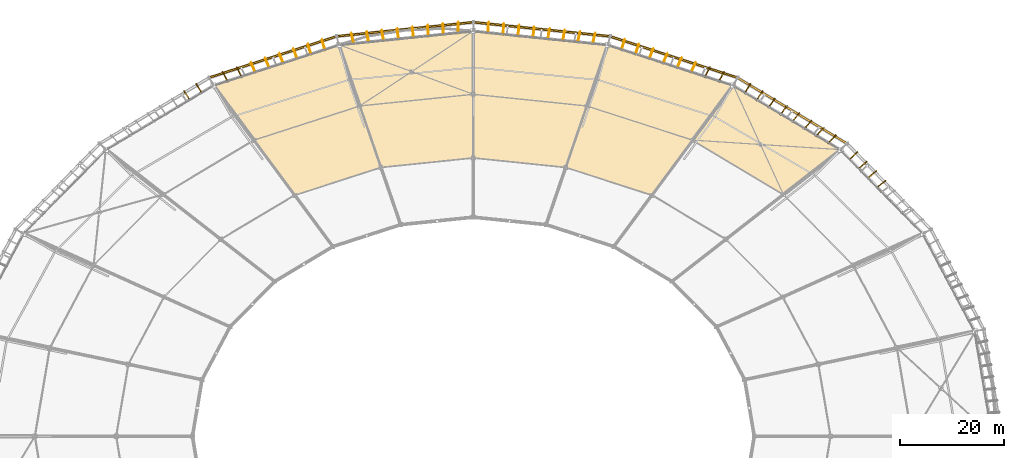
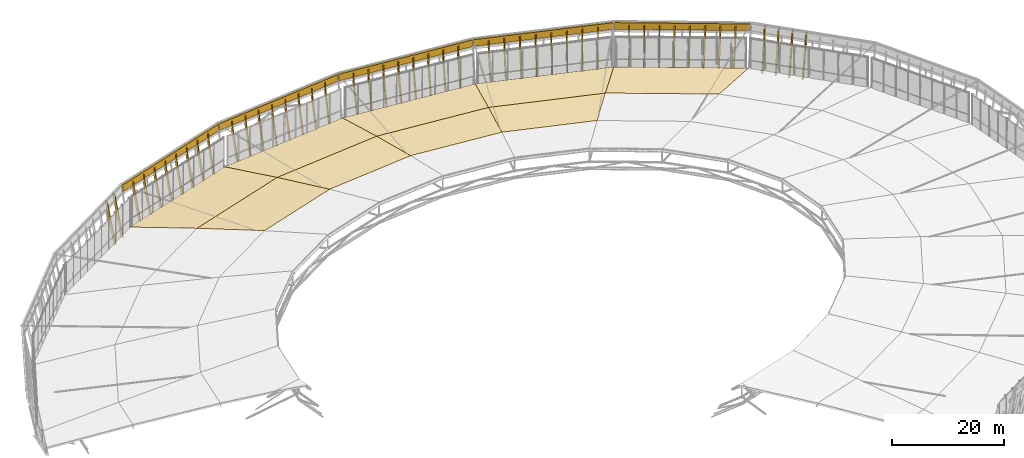
# One storey, part 115 of 115: 46 shading devices, 14 coverings, 2 elements without a shape of their own.
"""IFC4 building model written with IfcOpenShell, lengths in metres."""

from ifc_helpers import new_model, si_unit, direction, frame, origin, origin_2d, place, context, subcontext, project, spatial, polyline, rectangle, outline, extrude, material, layer, layer_set, material_profile, profile_set, type_object, element, aggregate, save


model = new_model("IFC4")

# Units and contexts
model_context = context("Model", 3, precision=1e-05, world=origin(), true_north=direction((0.0, 1.0)))
body_context = subcontext(model_context, "Body", "Model", "MODEL_VIEW")
ifc_project = project(units=[si_unit("LENGTHUNIT", "METRE"), si_unit("AREAUNIT", "SQUARE_METRE"), si_unit("VOLUMEUNIT", "CUBIC_METRE"), si_unit("PLANEANGLEUNIT", "RADIAN"), si_unit("MASSUNIT", "GRAM", prefix="KILO")], contexts=[model_context])

# Site, building, storey
site_placement = place(None, origin())
site = spatial("IfcSite", under=ifc_project, at=site_placement, CompositionType="ELEMENT")
building_placement = place(site_placement, origin())
building = spatial("IfcBuilding", under=site, at=building_placement, Name="Zlatoyarsky Gate Stadium", CompositionType="ELEMENT")
storey_placement = place(building_placement, frame((0.0, 0.0, 31.800048828125)))
storey = spatial("IfcBuildingStorey", under=building, at=storey_placement, Name="RF", CompositionType="ELEMENT", Elevation=31.800048828125)

# Coverings
ifc_material_1 = material(Name="Perforated stone-toned anodised aluminium fascia cladding", Category="masonry")
ifc_layer_1 = layer(ifc_material_1, 0.044921875)
ifc_layer_set_1 = layer_set([ifc_layer_1], Name="Perforated stone-toned anodised aluminium fascia cladding")
covering_type_1 = type_object("IfcCoveringType", Name="PERFORATED ANODISED CROWN FASCIA SCREEN 45", PredefinedType="CLADDING", material=ifc_layer_set_1)
covering_1_placement = place(storey_placement, frame((172.378662109375, 142.685791015625, 7.39990234375), z_axis=(0.0, 0.0, 1.0), x_axis=(-0.85708092378, 0.515181802952, 0.0)))
element("IfcCovering", 1, at=covering_1_placement, inside=storey, type_object=covering_type_1, Name="RF crown perforated eaves fascia cladding sector 03", PredefinedType="CLADDING", context=body_context, shape_type="SweptSolid", body=[
    extrude(rectangle(XDim=24.337890625, YDim=0.360107421875, at=origin_2d()), origin(), (0.0, 0.0, 1.0), 1.449951171875),
])
covering_2_placement = place(storey_placement, frame((149.584228515625, 152.9990234375, 7.39990234375), z_axis=(0.0, 0.0, 1.0), x_axis=(-0.951181318292, 0.30863262908, 0.0)))
element("IfcCovering", 2, at=covering_2_placement, inside=storey, type_object=covering_type_1, Name="RF crown perforated eaves fascia cladding sector 04", PredefinedType="CLADDING", context=body_context, shape_type="SweptSolid", body=[
    extrude(rectangle(XDim=25.548095703125, YDim=0.360107421875, at=origin_2d()), origin(), (0.0, 0.0, 1.0), 1.449951171875),
])
for number, where, z_axis, x_axis, name in (
    (3, (124.160400390625, 158.337646484375, 7.39990234375), (0.0, 0.0, 1.0), (-0.994724084553, 0.102586527428, 0.0), "RF crown perforated eaves fascia cladding sector 05"),
    (4, (97.839599609375, 158.337646484375, 7.39990234375), (0.0, 0.0, 1.0), (-0.994724084553, -0.102586527428, 0.0), "RF crown perforated eaves fascia cladding sector 06"),
):
    element("IfcCovering", number, at=place(storey_placement, frame(where, z_axis=z_axis, x_axis=x_axis)), inside=storey, type_object=covering_type_1, Name=name, PredefinedType="CLADDING", context=body_context, shape_type="SweptSolid", body=[
        extrude(rectangle(XDim=26.2216796875, YDim=0.360107421875, at=origin_2d()), origin(), (0.0, 0.0, 1.0), 1.449951171875),
    ])
covering_3_placement = place(storey_placement, frame((72.415771484375, 152.9990234375, 7.39990234375), z_axis=(0.0, 0.0, 1.0), x_axis=(-0.951181318292, -0.30863262908, 0.0)))
element("IfcCovering", 5, at=covering_3_placement, inside=storey, type_object=covering_type_1, Name="RF crown perforated eaves fascia cladding sector 07", PredefinedType="CLADDING", context=body_context, shape_type="SweptSolid", body=[
    extrude(rectangle(XDim=25.548095703125, YDim=0.360107421875, at=origin_2d()), origin(), (0.0, 0.0, 1.0), 1.449951171875),
])

# Shading devices
ifc_material_2 = material(Name="Precast concrete C40/50 stone-toned architectural rib", Category="masonry")
ifc_material_profile = material_profile(ifc_material_2, rectangle(XDim=0.179931640625, YDim=0.47998046875, at=origin_2d()), Name="RIB 180X480")
ifc_profile_set = profile_set([ifc_material_profile], Name="Precast concrete C40/50 stone-toned architectural rib")
shading_device_type = type_object("IfcShadingDeviceType", Name="PRECAST RIBBED BOWL LOUVRE FIN 180X480", PredefinedType="JALOUSIE", material=ifc_profile_set)
shading_device_1_placement = place(storey_placement, frame((188.795166015625, 127.99169921875, -0.35009765625), z_axis=(0.152301064352, 0.120430217812, 0.980969392201), x_axis=(-0.620254979667, 0.784400255099, 0.0)))
element("IfcShadingDevice", 6, at=shading_device_1_placement, inside=storey, type_object=shading_device_type, Name="RF crown fluted louvre fin 02-5", PredefinedType="JALOUSIE", context=body_context, shape_type="SweptSolid", body=[
    extrude(rectangle(XDim=0.179931640625, YDim=0.47998046875, at=origin_2d()), origin(), (0.0, 0.0, 1.0), 9.276611328125),
])
shading_device_2_placement = place(storey_placement, frame((187.02880859375, 129.787109375, -0.35009765625), z_axis=(0.148848036831, 0.12495234775, 0.980933826883), x_axis=(-0.642950695549, 0.765907568244, 0.0)))
element("IfcShadingDevice", 7, at=shading_device_2_placement, inside=storey, type_object=shading_device_type, Name="RF crown fluted louvre fin 02-6", PredefinedType="JALOUSIE", context=body_context, shape_type="SweptSolid", body=[
    extrude(rectangle(XDim=0.179931640625, YDim=0.47998046875, at=origin_2d()), origin(), (0.0, 0.0, 1.0), 9.27685546875),
])
shading_device_3_placement = place(storey_placement, frame((185.2626953125, 131.582763671875, -0.35009765625), z_axis=(0.145365289642, 0.129444579969, 0.980873607191), x_axis=(-0.66502650148, 0.74681975893, 0.0)))
element("IfcShadingDevice", 8, at=shading_device_3_placement, inside=storey, type_object=shading_device_type, Name="RF crown fluted louvre fin 02-7", PredefinedType="JALOUSIE", context=body_context, shape_type="SweptSolid", body=[
    extrude(rectangle(XDim=0.179931640625, YDim=0.47998046875, at=origin_2d()), origin(), (0.0, 0.0, 1.0), 9.277587890625),
])
for number, where, z_axis, x_axis, name in (
    (9, (183.496337890625, 133.378173828125, -0.35009765625), (0.141903669219, 0.133957274244, 0.980774590484), (-0.68645326365, 0.727173924742, 0.0), "RF crown fluted louvre fin 02-8"),
    (10, (179.428466796875, 136.551513671875, -0.35009765625), (0.133930933581, 0.141929952011, 0.980774384735), (-0.72730475479, 0.686314646252, 0.0), "RF crown fluted louvre fin 03-1"),
):
    element("IfcShadingDevice", number, at=place(storey_placement, frame(where, z_axis=z_axis, x_axis=x_axis)), inside=storey, type_object=shading_device_type, Name=name, PredefinedType="JALOUSIE", context=body_context, shape_type="SweptSolid", body=[
        extrude(rectangle(XDim=0.179931640625, YDim=0.47998046875, at=origin_2d()), origin(), (0.0, 0.0, 1.0), 9.278564453125),
    ])
shading_device_4_placement = place(storey_placement, frame((177.126708984375, 137.929443359375, -0.35009765625), z_axis=(0.12941870555, 0.145365784761, 0.98087694808), x_axis=(-0.746886906655, 0.664951087424, 0.0)))
element("IfcShadingDevice", 11, at=shading_device_4_placement, inside=storey, type_object=shading_device_type, Name="RF crown fluted louvre fin 03-2", PredefinedType="JALOUSIE", context=body_context, shape_type="SweptSolid", body=[
    extrude(rectangle(XDim=0.179931640625, YDim=0.47998046875, at=origin_2d()), origin(), (0.0, 0.0, 1.0), 9.277587890625),
])
shading_device_5_placement = place(storey_placement, frame((174.82470703125, 139.30712890625, -0.35009765625), z_axis=(0.12495234775, 0.148848036831, 0.980933826883), x_axis=(-0.765907568244, 0.642950695549, 0.0)))
element("IfcShadingDevice", 12, at=shading_device_5_placement, inside=storey, type_object=shading_device_type, Name="RF crown fluted louvre fin 03-3", PredefinedType="JALOUSIE", context=body_context, shape_type="SweptSolid", body=[
    extrude(rectangle(XDim=0.179931640625, YDim=0.47998046875, at=origin_2d()), origin(), (0.0, 0.0, 1.0), 9.27685546875),
])
for number, where, z_axis, x_axis, name in (
    (13, (172.52294921875, 140.68505859375, -0.35009765625), (0.120430217812, 0.152301064352, 0.980969392201), (-0.784400255099, 0.620254979667, 0.0), "RF crown fluted louvre fin 03-4"),
    (14, (170.22119140625, 142.062744140625, -0.35009765625), (0.115929496283, 0.155774503633, 0.980966184896), (-0.802222653972, 0.597024968871, 0.0), "RF crown fluted louvre fin 03-5"),
):
    element("IfcShadingDevice", number, at=place(storey_placement, frame(where, z_axis=z_axis, x_axis=x_axis)), inside=storey, type_object=shading_device_type, Name=name, PredefinedType="JALOUSIE", context=body_context, shape_type="SweptSolid", body=[
        extrude(rectangle(XDim=0.179931640625, YDim=0.47998046875, at=origin_2d()), origin(), (0.0, 0.0, 1.0), 9.276611328125),
    ])
shading_device_6_placement = place(storey_placement, frame((167.919189453125, 143.4404296875, -0.35009765625), z_axis=(0.111425669793, 0.159217123819, 0.980935384005), x_axis=(-0.819295535964, 0.573371454425, 0.0)))
element("IfcShadingDevice", 15, at=shading_device_6_placement, inside=storey, type_object=shading_device_type, Name="RF crown fluted louvre fin 03-6", PredefinedType="JALOUSIE", context=body_context, shape_type="SweptSolid", body=[
    extrude(rectangle(XDim=0.179931640625, YDim=0.47998046875, at=origin_2d()), origin(), (0.0, 0.0, 1.0), 9.27685546875),
])
shading_device_7_placement = place(storey_placement, frame((165.617431640625, 144.818359375, -0.35009765625), z_axis=(0.106918690451, 0.162654301175, 0.980873066172), x_axis=(-0.835631015396, 0.549291185173, 0.0)))
element("IfcShadingDevice", 16, at=shading_device_7_placement, inside=storey, type_object=shading_device_type, Name="RF crown fluted louvre fin 03-7", PredefinedType="JALOUSIE", context=body_context, shape_type="SweptSolid", body=[
    extrude(rectangle(XDim=0.179931640625, YDim=0.47998046875, at=origin_2d()), origin(), (0.0, 0.0, 1.0), 9.277587890625),
])
for number, where, z_axis, x_axis, name in (
    (17, (163.315673828125, 146.196044921875, -0.35009765625), (0.102382509598, 0.166111740707, 0.980777605437), (-0.851292342658, 0.524691668823, 0.0), "RF crown fluted louvre fin 03-8"),
    (18, (158.333251953125, 148.43994140625, -0.35009765625), (0.092646659573, 0.17174233088, 0.980775799178), (-0.880107141293, 0.474775125554, 0.0), "RF crown fluted louvre fin 04-1"),
):
    element("IfcShadingDevice", number, at=place(storey_placement, frame(where, z_axis=z_axis, x_axis=x_axis)), inside=storey, type_object=shading_device_type, Name=name, PredefinedType="JALOUSIE", context=body_context, shape_type="SweptSolid", body=[
        extrude(rectangle(XDim=0.179931640625, YDim=0.47998046875, at=origin_2d()), origin(), (0.0, 0.0, 1.0), 9.278564453125),
    ])
shading_device_8_placement = place(storey_placement, frame((155.652587890625, 149.30615234375, -0.35009765625), z_axis=(0.087419065717, 0.173917099736, 0.980872442965), x_axis=(-0.89347884985, 0.449105271479, 0.0)))
element("IfcShadingDevice", 19, at=shading_device_8_placement, inside=storey, type_object=shading_device_type, Name="RF crown fluted louvre fin 04-2", PredefinedType="JALOUSIE", context=body_context, shape_type="SweptSolid", body=[
    extrude(rectangle(XDim=0.179931640625, YDim=0.47998046875, at=origin_2d()), origin(), (0.0, 0.0, 1.0), 9.277587890625),
])
shading_device_9_placement = place(storey_placement, frame((152.97216796875, 150.172119140625, -0.35009765625), z_axis=(0.082187424408, 0.1761121499, 0.980933095541), x_axis=(-0.906179680524, 0.422892878404, 0.0)))
element("IfcShadingDevice", 20, at=shading_device_9_placement, inside=storey, type_object=shading_device_type, Name="RF crown fluted louvre fin 04-3", PredefinedType="JALOUSIE", context=body_context, shape_type="SweptSolid", body=[
    extrude(rectangle(XDim=0.179931640625, YDim=0.47998046875, at=origin_2d()), origin(), (0.0, 0.0, 1.0), 9.277099609375),
])
for number, where, z_axis, x_axis, name in (
    (21, (150.291748046875, 151.038330078125, -0.35009765625), (0.076926857499, 0.17827661057, 0.980968760318), (-0.918167710581, 0.396191942431, 0.0), "RF crown fluted louvre fin 04-4"),
    (22, (147.611083984375, 151.904541015625, -0.35009765625), (0.071663248489, 0.180460850125, 0.980968022103), (-0.92939922098, 0.369075992231, 0.0), "RF crown fluted louvre fin 04-5"),
):
    element("IfcShadingDevice", number, at=place(storey_placement, frame(where, z_axis=z_axis, x_axis=x_axis)), inside=storey, type_object=shading_device_type, Name=name, PredefinedType="JALOUSIE", context=body_context, shape_type="SweptSolid", body=[
        extrude(rectangle(XDim=0.179931640625, YDim=0.47998046875, at=origin_2d()), origin(), (0.0, 0.0, 1.0), 9.276611328125),
    ])
shading_device_10_placement = place(storey_placement, frame((144.9306640625, 152.7705078125, -0.35009765625), z_axis=(0.066423691876, 0.182638835823, 0.980933712749), x_axis=(-0.939777607634, 0.341786553554, 0.0)))
element("IfcShadingDevice", 23, at=shading_device_10_placement, inside=storey, type_object=shading_device_type, Name="RF crown fluted louvre fin 04-6", PredefinedType="JALOUSIE", context=body_context, shape_type="SweptSolid", body=[
    extrude(rectangle(XDim=0.179931640625, YDim=0.47998046875, at=origin_2d()), origin(), (0.0, 0.0, 1.0), 9.27685546875),
])
shading_device_11_placement = place(storey_placement, frame((142.25, 153.63671875, -0.35009765625), z_axis=(0.061182829585, 0.184785302945, 0.980872597833), x_axis=(-0.949316784402, 0.314320923346, 0.0)))
element("IfcShadingDevice", 24, at=shading_device_11_placement, inside=storey, type_object=shading_device_type, Name="RF crown fluted louvre fin 04-7", PredefinedType="JALOUSIE", context=body_context, shape_type="SweptSolid", body=[
    extrude(rectangle(XDim=0.179931640625, YDim=0.47998046875, at=origin_2d()), origin(), (0.0, 0.0, 1.0), 9.277587890625),
])
shading_device_12_placement = place(storey_placement, frame((139.569580078125, 154.502685546875, -0.35009765625), z_axis=(0.055914320744, 0.186951175945, 0.980776654773), x_axis=(-0.958067182505, 0.286543668237, 0.0)))
element("IfcShadingDevice", 25, at=shading_device_12_placement, inside=storey, type_object=shading_device_type, Name="RF crown fluted louvre fin 04-8", PredefinedType="JALOUSIE", context=body_context, shape_type="SweptSolid", body=[
    extrude(rectangle(XDim=0.179931640625, YDim=0.47998046875, at=origin_2d()), origin(), (0.0, 0.0, 1.0), 9.278564453125),
])
shading_device_13_placement = place(storey_placement, frame((134.012451171875, 155.664306640625, -0.35009765625), z_axis=(0.045047355903, 0.189846187409, 0.980779873801), x_axis=(-0.972983902304, 0.23087296476, 0.0)))
element("IfcShadingDevice", 26, at=shading_device_13_placement, inside=storey, type_object=shading_device_type, Name="RF crown fluted louvre fin 05-1", PredefinedType="JALOUSIE", context=body_context, shape_type="SweptSolid", body=[
    extrude(rectangle(XDim=0.179931640625, YDim=0.47998046875, at=origin_2d()), origin(), (0.0, 0.0, 1.0), 9.2783203125),
])
shading_device_14_placement = place(storey_placement, frame((131.135986328125, 155.959716796875, -0.35009765625), z_axis=(0.039420088762, 0.190626917886, 0.980870753351), x_axis=(-0.979280761697, 0.202507258562, 0.0)))
element("IfcShadingDevice", 27, at=shading_device_14_placement, inside=storey, type_object=shading_device_type, Name="RF crown fluted louvre fin 05-2", PredefinedType="JALOUSIE", context=body_context, shape_type="SweptSolid", body=[
    extrude(rectangle(XDim=0.179931640625, YDim=0.47998046875, at=origin_2d()), origin(), (0.0, 0.0, 1.0), 9.277587890625),
])
shading_device_15_placement = place(storey_placement, frame((128.25927734375, 156.255126953125, -0.35009765625), z_axis=(0.033790857687, 0.191376259423, 0.980934913879), x_axis=(-0.984767195109, 0.1738780361, 0.0)))
element("IfcShadingDevice", 28, at=shading_device_15_placement, inside=storey, type_object=shading_device_type, Name="RF crown fluted louvre fin 05-3", PredefinedType="JALOUSIE", context=body_context, shape_type="SweptSolid", body=[
    extrude(rectangle(XDim=0.179931640625, YDim=0.47998046875, at=origin_2d()), origin(), (0.0, 0.0, 1.0), 9.27685546875),
])
for number, where, z_axis, x_axis, name in (
    (29, (125.3828125, 156.550537109375, -0.35009765625), (0.028159981695, 0.192119501284, 0.980967437103), (-0.989427883865, 0.145025730923, 0.0), "RF crown fluted louvre fin 05-4"),
    (30, (122.506103515625, 156.845947265625, -0.35009765625), (0.022528005484, 0.192856570316, 0.980968313584), (-0.993246487987, 0.116023334295, 0.0), "RF crown fluted louvre fin 05-5"),
):
    element("IfcShadingDevice", number, at=place(storey_placement, frame(where, z_axis=z_axis, x_axis=x_axis)), inside=storey, type_object=shading_device_type, Name=name, PredefinedType="JALOUSIE", context=body_context, shape_type="SweptSolid", body=[
        extrude(rectangle(XDim=0.179931640625, YDim=0.47998046875, at=origin_2d()), origin(), (0.0, 0.0, 1.0), 9.276611328125),
    ])
shading_device_16_placement = place(storey_placement, frame((119.629638671875, 157.141357421875, -0.35009765625), z_axis=(0.016895474128, 0.193587395149, 0.980937543065), x_axis=(-0.996213096762, 0.086945188706, 0.0)))
element("IfcShadingDevice", 31, at=shading_device_16_placement, inside=storey, type_object=shading_device_type, Name="RF crown fluted louvre fin 05-6", PredefinedType="JALOUSIE", context=body_context, shape_type="SweptSolid", body=[
    extrude(rectangle(XDim=0.179931640625, YDim=0.47998046875, at=origin_2d()), origin(), (0.0, 0.0, 1.0), 9.27685546875),
])
shading_device_17_placement = place(storey_placement, frame((116.753173828125, 157.436767578125, -0.35009765625), z_axis=(0.01126293281, 0.194311906235, 0.980875134479), x_axis=(-0.998324356932, 0.057866038024, 0.0)))
element("IfcShadingDevice", 32, at=shading_device_17_placement, inside=storey, type_object=shading_device_type, Name="RF crown fluted louvre fin 05-7", PredefinedType="JALOUSIE", context=body_context, shape_type="SweptSolid", body=[
    extrude(rectangle(XDim=0.179931640625, YDim=0.47998046875, at=origin_2d()), origin(), (0.0, 0.0, 1.0), 9.277587890625),
])
for number, where, z_axis, x_axis, name in (
    (33, (113.876708984375, 157.732177734375, -0.35009765625), (0.005604585886, 0.195055376404, 0.980776217469), (-0.999587453985, 0.028721452543, 0.0), "RF crown fluted louvre fin 05-8"),
    (34, (108.123291015625, 157.732177734375, -0.35009765625), (-0.005604585886, 0.195055376404, 0.980776217469), (-0.999587453985, -0.028721452543, 0.0), "RF crown fluted louvre fin 06-1"),
):
    element("IfcShadingDevice", number, at=place(storey_placement, frame(where, z_axis=z_axis, x_axis=x_axis)), inside=storey, type_object=shading_device_type, Name=name, PredefinedType="JALOUSIE", context=body_context, shape_type="SweptSolid", body=[
        extrude(rectangle(XDim=0.179931640625, YDim=0.47998046875, at=origin_2d()), origin(), (0.0, 0.0, 1.0), 9.278564453125),
    ])
shading_device_18_placement = place(storey_placement, frame((105.246826171875, 157.436767578125, -0.35009765625), z_axis=(-0.01126293281, 0.194311906235, 0.980875134479), x_axis=(-0.998324356932, -0.057866038024, 0.0)))
element("IfcShadingDevice", 35, at=shading_device_18_placement, inside=storey, type_object=shading_device_type, Name="RF crown fluted louvre fin 06-2", PredefinedType="JALOUSIE", context=body_context, shape_type="SweptSolid", body=[
    extrude(rectangle(XDim=0.179931640625, YDim=0.47998046875, at=origin_2d()), origin(), (0.0, 0.0, 1.0), 9.277587890625),
])
shading_device_19_placement = place(storey_placement, frame((102.370361328125, 157.141357421875, -0.35009765625), z_axis=(-0.016895474128, 0.193587395149, 0.980937543065), x_axis=(-0.996213096762, -0.086945188706, 0.0)))
element("IfcShadingDevice", 36, at=shading_device_19_placement, inside=storey, type_object=shading_device_type, Name="RF crown fluted louvre fin 06-3", PredefinedType="JALOUSIE", context=body_context, shape_type="SweptSolid", body=[
    extrude(rectangle(XDim=0.179931640625, YDim=0.47998046875, at=origin_2d()), origin(), (0.0, 0.0, 1.0), 9.27685546875),
])
for number, where, z_axis, x_axis, name in (
    (37, (99.493896484375, 156.845947265625, -0.35009765625), (-0.022528005484, 0.192856570316, 0.980968313584), (-0.993246487987, -0.116023334295, 0.0), "RF crown fluted louvre fin 06-4"),
    (38, (96.6171875, 156.550537109375, -0.35009765625), (-0.028159981695, 0.192119501284, 0.980967437103), (-0.989427883865, -0.145025730923, 0.0), "RF crown fluted louvre fin 06-5"),
):
    element("IfcShadingDevice", number, at=place(storey_placement, frame(where, z_axis=z_axis, x_axis=x_axis)), inside=storey, type_object=shading_device_type, Name=name, PredefinedType="JALOUSIE", context=body_context, shape_type="SweptSolid", body=[
        extrude(rectangle(XDim=0.179931640625, YDim=0.47998046875, at=origin_2d()), origin(), (0.0, 0.0, 1.0), 9.276611328125),
    ])
shading_device_20_placement = place(storey_placement, frame((93.74072265625, 156.255126953125, -0.35009765625), z_axis=(-0.033790857687, 0.191376259423, 0.980934913879), x_axis=(-0.984767195109, -0.1738780361, 0.0)))
element("IfcShadingDevice", 39, at=shading_device_20_placement, inside=storey, type_object=shading_device_type, Name="RF crown fluted louvre fin 06-6", PredefinedType="JALOUSIE", context=body_context, shape_type="SweptSolid", body=[
    extrude(rectangle(XDim=0.179931640625, YDim=0.47998046875, at=origin_2d()), origin(), (0.0, 0.0, 1.0), 9.27685546875),
])
shading_device_21_placement = place(storey_placement, frame((90.864013671875, 155.959716796875, -0.35009765625), z_axis=(-0.039420088762, 0.190626917886, 0.980870753351), x_axis=(-0.979280761697, -0.202507258562, 0.0)))
element("IfcShadingDevice", 40, at=shading_device_21_placement, inside=storey, type_object=shading_device_type, Name="RF crown fluted louvre fin 06-7", PredefinedType="JALOUSIE", context=body_context, shape_type="SweptSolid", body=[
    extrude(rectangle(XDim=0.179931640625, YDim=0.47998046875, at=origin_2d()), origin(), (0.0, 0.0, 1.0), 9.277587890625),
])
shading_device_22_placement = place(storey_placement, frame((87.987548828125, 155.664306640625, -0.35009765625), z_axis=(-0.045047355903, 0.189846187409, 0.980779873801), x_axis=(-0.972983902304, -0.23087296476, 0.0)))
element("IfcShadingDevice", 41, at=shading_device_22_placement, inside=storey, type_object=shading_device_type, Name="RF crown fluted louvre fin 06-8", PredefinedType="JALOUSIE", context=body_context, shape_type="SweptSolid", body=[
    extrude(rectangle(XDim=0.179931640625, YDim=0.47998046875, at=origin_2d()), origin(), (0.0, 0.0, 1.0), 9.2783203125),
])
shading_device_23_placement = place(storey_placement, frame((82.430419921875, 154.502685546875, -0.35009765625), z_axis=(-0.055914320744, 0.186951175945, 0.980776654773), x_axis=(-0.958067182505, -0.286543668237, 0.0)))
element("IfcShadingDevice", 42, at=shading_device_23_placement, inside=storey, type_object=shading_device_type, Name="RF crown fluted louvre fin 07-1", PredefinedType="JALOUSIE", context=body_context, shape_type="SweptSolid", body=[
    extrude(rectangle(XDim=0.179931640625, YDim=0.47998046875, at=origin_2d()), origin(), (0.0, 0.0, 1.0), 9.278564453125),
])
shading_device_24_placement = place(storey_placement, frame((79.75, 153.63671875, -0.35009765625), z_axis=(-0.061182829585, 0.184785302945, 0.980872597833), x_axis=(-0.949316784402, -0.314320923346, 0.0)))
element("IfcShadingDevice", 43, at=shading_device_24_placement, inside=storey, type_object=shading_device_type, Name="RF crown fluted louvre fin 07-2", PredefinedType="JALOUSIE", context=body_context, shape_type="SweptSolid", body=[
    extrude(rectangle(XDim=0.179931640625, YDim=0.47998046875, at=origin_2d()), origin(), (0.0, 0.0, 1.0), 9.277587890625),
])
shading_device_25_placement = place(storey_placement, frame((77.0693359375, 152.7705078125, -0.35009765625), z_axis=(-0.066423691876, 0.182638835823, 0.980933712749), x_axis=(-0.939777607634, -0.341786553554, 0.0)))
element("IfcShadingDevice", 44, at=shading_device_25_placement, inside=storey, type_object=shading_device_type, Name="RF crown fluted louvre fin 07-3", PredefinedType="JALOUSIE", context=body_context, shape_type="SweptSolid", body=[
    extrude(rectangle(XDim=0.179931640625, YDim=0.47998046875, at=origin_2d()), origin(), (0.0, 0.0, 1.0), 9.27685546875),
])
for number, where, z_axis, x_axis, name in (
    (45, (74.388916015625, 151.904541015625, -0.35009765625), (-0.071663248489, 0.180460850125, 0.980968022103), (-0.92939922098, -0.369075992231, 0.0), "RF crown fluted louvre fin 07-4"),
    (46, (71.708251953125, 151.038330078125, -0.35009765625), (-0.076926857499, 0.17827661057, 0.980968760318), (-0.918167710581, -0.396191942431, 0.0), "RF crown fluted louvre fin 07-5"),
):
    element("IfcShadingDevice", number, at=place(storey_placement, frame(where, z_axis=z_axis, x_axis=x_axis)), inside=storey, type_object=shading_device_type, Name=name, PredefinedType="JALOUSIE", context=body_context, shape_type="SweptSolid", body=[
        extrude(rectangle(XDim=0.179931640625, YDim=0.47998046875, at=origin_2d()), origin(), (0.0, 0.0, 1.0), 9.276611328125),
    ])
shading_device_26_placement = place(storey_placement, frame((69.02783203125, 150.172119140625, -0.35009765625), z_axis=(-0.082187424408, 0.1761121499, 0.980933095541), x_axis=(-0.906179680524, -0.422892878404, 0.0)))
element("IfcShadingDevice", 47, at=shading_device_26_placement, inside=storey, type_object=shading_device_type, Name="RF crown fluted louvre fin 07-6", PredefinedType="JALOUSIE", context=body_context, shape_type="SweptSolid", body=[
    extrude(rectangle(XDim=0.179931640625, YDim=0.47998046875, at=origin_2d()), origin(), (0.0, 0.0, 1.0), 9.277099609375),
])
shading_device_27_placement = place(storey_placement, frame((66.347412109375, 149.30615234375, -0.35009765625), z_axis=(-0.087419065717, 0.173917099736, 0.980872442965), x_axis=(-0.89347884985, -0.449105271479, 0.0)))
element("IfcShadingDevice", 48, at=shading_device_27_placement, inside=storey, type_object=shading_device_type, Name="RF crown fluted louvre fin 07-7", PredefinedType="JALOUSIE", context=body_context, shape_type="SweptSolid", body=[
    extrude(rectangle(XDim=0.179931640625, YDim=0.47998046875, at=origin_2d()), origin(), (0.0, 0.0, 1.0), 9.277587890625),
])
for number, where, z_axis, x_axis, name in (
    (49, (63.666748046875, 148.43994140625, -0.35009765625), (-0.092646659573, 0.17174233088, 0.980775799178), (-0.880107141293, -0.474775125554, 0.0), "RF crown fluted louvre fin 07-8"),
    (50, (58.684326171875, 146.196044921875, -0.35009765625), (-0.102382509598, 0.166111740707, 0.980777605437), (-0.851292342658, -0.524691668823, 0.0), "RF crown fluted louvre fin 08-1"),
):
    element("IfcShadingDevice", number, at=place(storey_placement, frame(where, z_axis=z_axis, x_axis=x_axis)), inside=storey, type_object=shading_device_type, Name=name, PredefinedType="JALOUSIE", context=body_context, shape_type="SweptSolid", body=[
        extrude(rectangle(XDim=0.179931640625, YDim=0.47998046875, at=origin_2d()), origin(), (0.0, 0.0, 1.0), 9.278564453125),
    ])
shading_device_28_placement = place(storey_placement, frame((56.382568359375, 144.818359375, -0.35009765625), z_axis=(-0.106918690451, 0.162654301175, 0.980873066172), x_axis=(-0.835631015396, -0.549291185173, 0.0)))
element("IfcShadingDevice", 51, at=shading_device_28_placement, inside=storey, type_object=shading_device_type, Name="RF crown fluted louvre fin 08-2", PredefinedType="JALOUSIE", context=body_context, shape_type="SweptSolid", body=[
    extrude(rectangle(XDim=0.179931640625, YDim=0.47998046875, at=origin_2d()), origin(), (0.0, 0.0, 1.0), 9.277587890625),
])

# Roof, coverings
ifc_material_3 = material(Name="Standing-seam aluminium-zinc roofing with mineral wool insulation", Category="aluminium")
ifc_layer_2 = layer(ifc_material_3, 0.080078125)
ifc_layer_set_2 = layer_set([ifc_layer_2], Name="Standing-seam aluminium-zinc roofing with mineral wool insulation")
roof_type = type_object("IfcRoofType", Name="STADIUM BARREL VAULT ROOF ASSEMBLY", PredefinedType="BARREL_ROOF", material=ifc_layer_set_2)
roof_1_placement = place(storey_placement, origin())
roof_1 = element("IfcRoof", 52, at=roof_1_placement, inside=storey, type_object=roof_type, Name="Stadium barrel arch roof sector 2", PredefinedType="BARREL_ROOF")
ifc_layer_3 = layer(ifc_material_3, 0.06005859375)
ifc_layer_set_3 = layer_set([ifc_layer_3], Name="Standing-seam aluminium-zinc roofing with mineral wool insulation")
covering_type_2 = type_object("IfcCoveringType", Name="STANDING SEAM ALUMINIUM ZINC ROOFING 60", PredefinedType="ROOFING", material=ifc_layer_set_3)
covering_4_placement = place(storey_placement, frame((181.730224609375, 135.173828125, 0.260009765625), z_axis=(0.129152879329, 0.215770189277, 0.967865052154), x_axis=(-0.8580340905, 0.51359273704, -4.42967e-07)))
covering_4 = element("IfcCovering", 53, at=covering_4_placement, type_object=covering_type_2, Name="Stadium standing seam roofing sector 03 bay 1", PredefinedType="ROOFING", context=body_context, shape_type="SweptSolid", body=[
    extrude(outline(polyline([(0.0, 0.0), (24.1439241753555, 0.0), (25.42773523422691, 13.520147369410285), (5.059922171680651, 13.520068961575207), (0.0, 0.0)])), origin(), (0.0, 0.0, -1.0), 0.06005859375),
])
covering_5_placement = place(storey_placement, frame((161.013916015625, 147.573974609375, 0.260009765625), z_axis=(0.080926633941, 0.25045970369, 0.964738729785), x_axis=(-0.951561589275, 0.307458195234, 8.16732e-07)))
covering_5 = element("IfcCovering", 54, at=covering_5_placement, type_object=covering_type_2, Name="Stadium standing seam roofing sector 04 bay 1", PredefinedType="ROOFING", context=body_context, shape_type="SweptSolid", body=[
    extrude(outline(polyline([(0.0, 0.0), (25.352803638085895, 0.0), (25.581554553527695, 12.9170218581198), (4.193966523606391, 12.91716689231748), (0.0, 0.0)])), origin(), (0.0, 0.0, -1.0), 0.06005859375),
])
covering_6_placement = place(storey_placement, frame((153.191650390625, 137.00537109375, 3.659912109375), z_axis=(0.075351968542, 0.233204753285, 0.969503802923), x_axis=(-0.951559522359, 0.30746459212, -3.31256e-07)))
covering_6 = element("IfcCovering", 55, at=covering_6_placement, type_object=covering_type_2, Name="Stadium standing seam roofing sector 04 bay 2", PredefinedType="ROOFING", context=body_context, shape_type="SweptSolid", body=[
    extrude(outline(polyline([(0.0, 0.0), (21.387588030422577, -1.7763568394002505e-15), (21.616176287943148, 12.853768736129386), (4.193878929177778, 12.853716278917283), (0.0, 0.0)])), origin(), (0.0, 0.0, -1.0), 0.06005859375),
])
covering_7_placement = place(storey_placement, frame((136.88916015625, 155.368896484375, 0.260009765625), z_axis=(0.027549713933, 0.26827762125, 0.962947626405), x_axis=(-0.994768228243, 0.102157584529, -1.052656e-06)))
covering_7 = element("IfcCovering", 56, at=covering_7_placement, type_object=covering_type_2, Name="Stadium standing seam roofing sector 05 bay 1", PredefinedType="ROOFING", context=body_context, shape_type="SweptSolid", body=[
    extrude(outline(polyline([(0.0, 0.0), (26.02531947140747, -4.440892098500626e-16), (24.77862423714168, 12.606873682931372), (2.823692360814947, 12.606686405062462), (0.0, 0.0)])), origin(), (0.0, 0.0, -1.0), 0.06005859375),
])
covering_8_placement = place(storey_placement, frame((132.840087890625, 143.581298828125, 3.659912109375), z_axis=(0.025658712336, 0.249859215045, 0.967942148653), x_axis=(-0.994769061755, 0.102149467801, 1.557277e-06)))
covering_8 = element("IfcCovering", 57, at=covering_8_placement, type_object=covering_type_2, Name="Stadium standing seam roofing sector 05 bay 2", PredefinedType="ROOFING", context=body_context, shape_type="SweptSolid", body=[
    extrude(outline(polyline([(0.0, 0.0), (21.954931877115506, 0.0), (20.70836911967818, 12.541599680499349), (2.8237749582387486, 12.541846686090652), (0.0, 0.0)])), origin(), (0.0, 0.0, -1.0), 0.06005859375),
])
aggregate(roof_1, [covering_4, covering_5, covering_6, covering_7, covering_8])

roof_2_placement = place(storey_placement, origin())
roof_2 = element("IfcRoof", 58, at=roof_2_placement, inside=storey, type_object=roof_type, Name="Stadium barrel arch roof sector 3", PredefinedType="BARREL_ROOF")
covering_9_placement = place(storey_placement, frame((111.0, 158.027587890625, 0.260009765625), z_axis=(-0.027549713933, 0.26827762125, 0.962947626405), x_axis=(-0.994768228243, -0.102157584529, 1.052656e-06)))
covering_9 = element("IfcCovering", 59, at=covering_9_placement, type_object=covering_type_2, Name="Stadium standing seam roofing sector 06 bay 1", PredefinedType="ROOFING", context=body_context, shape_type="SweptSolid", body=[
    extrude(outline(polyline([(0.0, 0.0), (26.02531947140747, 4.440892098500626e-16), (23.201627110592522, 12.606686405062462), (1.2466952342657893, 12.606873682931376), (0.0, 0.0)])), origin(), (0.0, 0.0, -1.0), 0.06005859375),
])
covering_10_placement = place(storey_placement, frame((111.0, 145.823974609375, 3.659912109375), z_axis=(-0.025658712336, 0.249859215045, 0.967942148653), x_axis=(-0.994769061755, -0.102149467801, -1.557277e-06)))
covering_10 = element("IfcCovering", 60, at=covering_10_placement, type_object=covering_type_2, Name="Stadium standing seam roofing sector 06 bay 2", PredefinedType="ROOFING", context=body_context, shape_type="SweptSolid", body=[
    extrude(outline(polyline([(0.0, 0.0), (21.954931877115506, 0.0), (19.13115691887676, 12.541846686090654), (1.2465627574373217, 12.541599680499349), (0.0, 0.0)])), origin(), (0.0, 0.0, -1.0), 0.06005859375),
])
covering_11_placement = place(storey_placement, frame((85.11083984375, 155.368896484375, 0.260009765625), z_axis=(-0.080926633941, 0.25045970369, 0.964738729785), x_axis=(-0.951561589275, -0.307458195234, -8.16732e-07)))
covering_11 = element("IfcCovering", 61, at=covering_11_placement, type_object=covering_type_2, Name="Stadium standing seam roofing sector 07 bay 1", PredefinedType="ROOFING", context=body_context, shape_type="SweptSolid", body=[
    extrude(outline(polyline([(0.0, 0.0), (25.352803638085895, 0.0), (21.158837114479507, 12.91716689231748), (-0.22875091544180007, 12.917021858119801), (0.0, 0.0)])), origin(), (0.0, 0.0, -1.0), 0.06005859375),
])
covering_12_placement = place(storey_placement, frame((89.159912109375, 143.581298828125, 3.659912109375), z_axis=(-0.075351968542, 0.233204753285, 0.969503802923), x_axis=(-0.951559522359, -0.30746459212, 3.31256e-07)))
covering_12 = element("IfcCovering", 62, at=covering_12_placement, type_object=covering_type_2, Name="Stadium standing seam roofing sector 07 bay 2", PredefinedType="ROOFING", context=body_context, shape_type="SweptSolid", body=[
    extrude(outline(polyline([(0.0, 0.0), (21.387588030422577, 1.7763568394002505e-15), (17.193709101244803, 12.853716278917284), (-0.22858825752056824, 12.853768736129387), (0.0, 0.0)])), origin(), (0.0, 0.0, -1.0), 0.06005859375),
])
aggregate(roof_2, [covering_9, covering_10, covering_11, covering_12])

save(model, "model.ifc")
